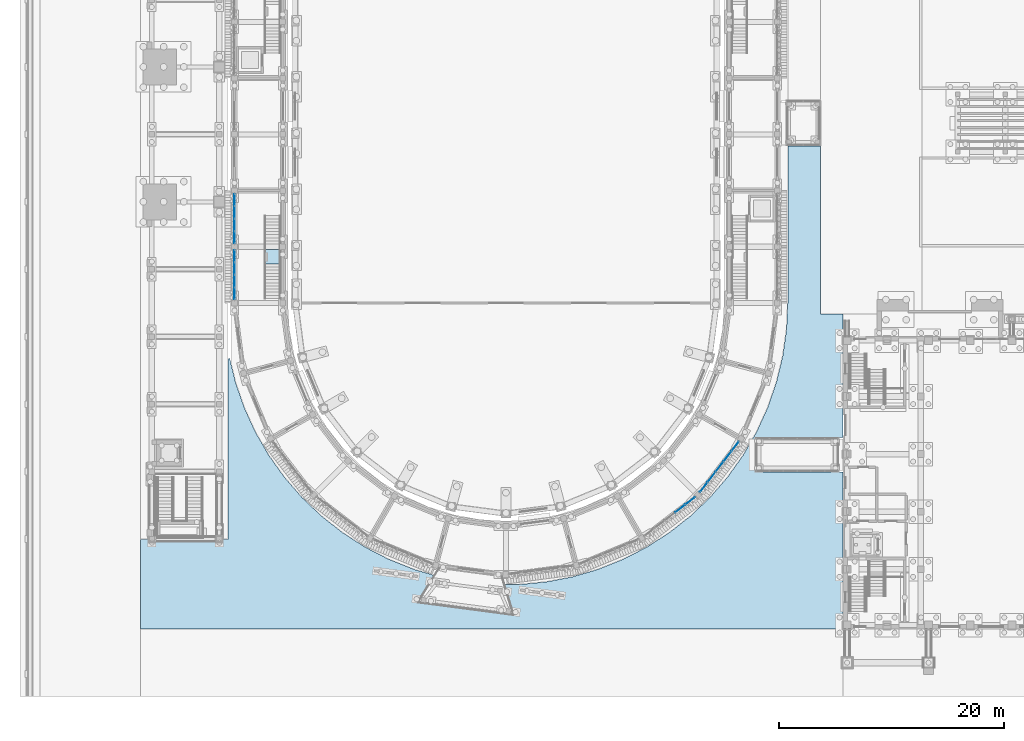
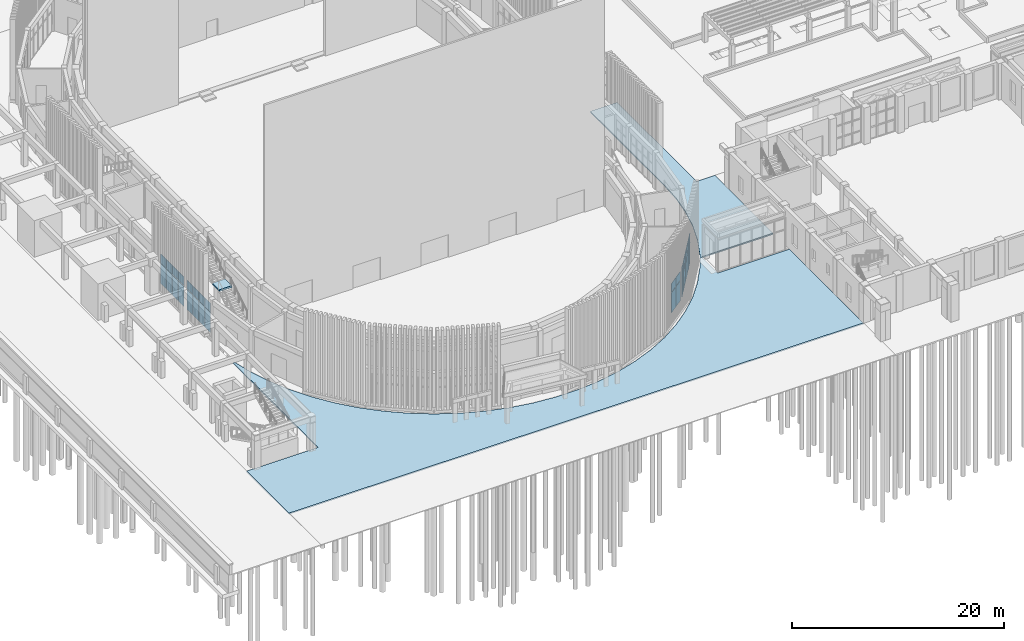
# One storey, part 47 of 112: 30 plates, 2 slabs, 5 elements without a shape of their own.
"""IFC4 building model written with IfcOpenShell, lengths in metres."""

from ifc_helpers import new_model, si_unit, direction, frame, origin, origin_2d, place, context, subcontext, project, spatial, polyline, rectangle, outline, extrude, material, layer, layer_set, type_object, element, aggregate, save


model = new_model("IFC4")

# Units and contexts
model_context = context("Model", 3, precision=1e-05, world=origin(), true_north=direction((0.0, 1.0)))
body_context = subcontext(model_context, "Body", "Model", "MODEL_VIEW")
ifc_project = project(units=[si_unit("LENGTHUNIT", "METRE"), si_unit("AREAUNIT", "SQUARE_METRE"), si_unit("VOLUMEUNIT", "CUBIC_METRE"), si_unit("PLANEANGLEUNIT", "RADIAN"), si_unit("MASSUNIT", "GRAM", prefix="KILO")], contexts=[model_context])

# Site, building, storey
site_placement = place(None, origin())
site = spatial("IfcSite", under=ifc_project, at=site_placement, CompositionType="ELEMENT")
building_placement = place(site_placement, origin())
building = spatial("IfcBuilding", under=site, at=building_placement, Name="Wasatch Bagh Community Centre", CompositionType="ELEMENT")
storey_placement = place(building_placement, origin())
storey = spatial("IfcBuildingStorey", under=building, at=storey_placement, Name="L00", CompositionType="ELEMENT", Elevation=0.0)

# Curtain wall, plates
ifc_material_1 = material(Name="Aluminium curtain wall frame with low-iron insulated glass", Category="aluminium")
ifc_layer_1 = layer(ifc_material_1, 0.14990234375)
ifc_layer_set_1 = layer_set([ifc_layer_1], Name="Aluminium curtain wall frame with low-iron insulated glass")
curtain_wall_type_1 = type_object("IfcCurtainWallType", Name="Drum curtain wall DR-CW1", PredefinedType="NOTDEFINED", material=ifc_layer_set_1)
curtain_wall_1_placement = place(storey_placement, origin())
curtain_wall_1 = element("IfcCurtainWall", 1, at=curtain_wall_1_placement, inside=storey, type_object=curtain_wall_type_1, Name="Curtain wall DR-CW1 9", PredefinedType="NOTDEFINED")
ifc_material_2 = material(Name="Low-iron insulated glass", Category="glass")
ifc_layer_2 = layer(ifc_material_2, 0.028076171875)
ifc_layer_set_2 = layer_set([ifc_layer_2], Name="Low-iron insulated glass")
plate_type_1 = type_object("IfcPlateType", Name="Drum glass panel DR-CW1", PredefinedType="CURTAIN_PANEL", material=ifc_layer_set_2)
plate_1_placement = place(storey_placement, frame((51.492919921875, 16.7080078125, 0.06005859375), z_axis=(0.0, 0.0, 1.0), x_axis=(0.793353340196, 0.608761429133, 0.0)))
plate_1 = element("IfcPlate", 2, at=plate_1_placement, type_object=plate_type_1, Name="DR-CW1 panel 4.1", PredefinedType="CURTAIN_PANEL", context=body_context, shape_type="SweptSolid", body=[
    extrude(rectangle(XDim=1.095947265625, YDim=0.028076171875, at=origin_2d()), origin(), (0.0, 0.0, 1.0), 2.31005859375),
])
plate_2_placement = place(storey_placement, frame((51.492919921875, 16.7080078125, 2.43017578125), z_axis=(0.0, 0.0, 1.0), x_axis=(0.793353340196, 0.608761429133, 0.0)))
plate_2 = element("IfcPlate", 3, at=plate_2_placement, type_object=plate_type_1, Name="DR-CW1 panel 4.2", PredefinedType="CURTAIN_PANEL", context=body_context, shape_type="SweptSolid", body=[
    extrude(rectangle(XDim=1.095947265625, YDim=0.028076171875, at=origin_2d()), origin(), (0.0, 0.0, 1.0), 1.010009765625),
])
plate_3_placement = place(storey_placement, frame((52.39794921875, 17.402587890625, 0.06005859375), z_axis=(0.0, 0.0, 1.0), x_axis=(0.793353340196, 0.608761429133, 0.0)))
plate_3 = element("IfcPlate", 4, at=plate_3_placement, type_object=plate_type_1, Name="DR-CW1 panel 5.1", PredefinedType="CURTAIN_PANEL", context=body_context, shape_type="SweptSolid", body=[
    extrude(rectangle(XDim=1.06591796875, YDim=0.028076171875, at=origin_2d()), origin(), (0.0, 0.0, 1.0), 2.31005859375),
])
plate_4_placement = place(storey_placement, frame((52.39794921875, 17.402587890625, 2.43017578125), z_axis=(0.0, 0.0, 1.0), x_axis=(0.793353340196, 0.608761429133, 0.0)))
plate_4 = element("IfcPlate", 5, at=plate_4_placement, type_object=plate_type_1, Name="DR-CW1 panel 5.2", PredefinedType="CURTAIN_PANEL", context=body_context, shape_type="SweptSolid", body=[
    extrude(rectangle(XDim=1.06591796875, YDim=0.028076171875, at=origin_2d()), origin(), (0.0, 0.0, 1.0), 1.010009765625),
])
aggregate(curtain_wall_1, [plate_1, plate_2, plate_3, plate_4])

curtain_wall_2_placement = place(storey_placement, origin())
curtain_wall_2 = element("IfcCurtainWall", 6, at=curtain_wall_2_placement, inside=storey, type_object=curtain_wall_type_1, Name="Curtain wall DR-CW1 10", PredefinedType="NOTDEFINED")
plate_5_placement = place(storey_placement, frame((53.597412109375, 18.60205078125, 0.06005859375), z_axis=(0.0, 0.0, 1.0), x_axis=(0.608761429133, 0.793353340196, 0.0)))
plate_5 = element("IfcPlate", 7, at=plate_5_placement, type_object=plate_type_1, Name="DR-CW1 panel 1.1", PredefinedType="CURTAIN_PANEL", context=body_context, shape_type="SweptSolid", body=[
    extrude(rectangle(XDim=1.06591796875, YDim=0.028076171875, at=origin_2d()), origin(), (0.0, 0.0, 1.0), 2.31005859375),
])
plate_6_placement = place(storey_placement, frame((53.597412109375, 18.60205078125, 2.43017578125), z_axis=(0.0, 0.0, 1.0), x_axis=(0.608761429133, 0.793353340196, 0.0)))
plate_6 = element("IfcPlate", 8, at=plate_6_placement, type_object=plate_type_1, Name="DR-CW1 panel 1.2", PredefinedType="CURTAIN_PANEL", context=body_context, shape_type="SweptSolid", body=[
    extrude(rectangle(XDim=1.06591796875, YDim=0.028076171875, at=origin_2d()), origin(), (0.0, 0.0, 1.0), 1.010009765625),
])
plate_7_placement = place(storey_placement, frame((54.2919921875, 19.507080078125, 0.06005859375), z_axis=(0.0, 0.0, 1.0), x_axis=(0.608761429133, 0.793353340196, 0.0)))
plate_7 = element("IfcPlate", 9, at=plate_7_placement, type_object=plate_type_1, Name="DR-CW1 panel 2.1", PredefinedType="CURTAIN_PANEL", context=body_context, shape_type="SweptSolid", body=[
    extrude(rectangle(XDim=1.095947265625, YDim=0.028076171875, at=origin_2d()), origin(), (0.0, 0.0, 1.0), 2.31005859375),
])
plate_8_placement = place(storey_placement, frame((54.2919921875, 19.507080078125, 2.43017578125), z_axis=(0.0, 0.0, 1.0), x_axis=(0.608761429133, 0.793353340196, 0.0)))
plate_8 = element("IfcPlate", 10, at=plate_8_placement, type_object=plate_type_1, Name="DR-CW1 panel 2.2", PredefinedType="CURTAIN_PANEL", context=body_context, shape_type="SweptSolid", body=[
    extrude(rectangle(XDim=1.095947265625, YDim=0.028076171875, at=origin_2d()), origin(), (0.0, 0.0, 1.0), 1.010009765625),
])
plate_9_placement = place(storey_placement, frame((54.99560546875, 20.424072265625, 0.06005859375), z_axis=(0.0, 0.0, 1.0), x_axis=(0.608761429133, 0.793353340196, 0.0)))
plate_9 = element("IfcPlate", 11, at=plate_9_placement, type_object=plate_type_1, Name="DR-CW1 panel 3.1", PredefinedType="CURTAIN_PANEL", context=body_context, shape_type="SweptSolid", body=[
    extrude(rectangle(XDim=1.095947265625, YDim=0.028076171875, at=origin_2d()), origin(), (0.0, 0.0, 1.0), 2.31005859375),
])
plate_10_placement = place(storey_placement, frame((54.99560546875, 20.424072265625, 2.43017578125), z_axis=(0.0, 0.0, 1.0), x_axis=(0.608761429133, 0.793353340196, 0.0)))
plate_10 = element("IfcPlate", 12, at=plate_10_placement, type_object=plate_type_1, Name="DR-CW1 panel 3.2", PredefinedType="CURTAIN_PANEL", context=body_context, shape_type="SweptSolid", body=[
    extrude(rectangle(XDim=1.095947265625, YDim=0.028076171875, at=origin_2d()), origin(), (0.0, 0.0, 1.0), 1.010009765625),
])
plate_11_placement = place(storey_placement, frame((55.69921875, 21.34130859375, 0.06005859375), z_axis=(0.0, 0.0, 1.0), x_axis=(0.608761429133, 0.793353340196, 0.0)))
plate_11 = element("IfcPlate", 13, at=plate_11_placement, type_object=plate_type_1, Name="DR-CW1 panel 4.1", PredefinedType="CURTAIN_PANEL", context=body_context, shape_type="SweptSolid", body=[
    extrude(rectangle(XDim=1.095947265625, YDim=0.028076171875, at=origin_2d()), origin(), (0.0, 0.0, 1.0), 2.31005859375),
])
plate_12_placement = place(storey_placement, frame((55.69921875, 21.34130859375, 2.43017578125), z_axis=(0.0, 0.0, 1.0), x_axis=(0.608761429133, 0.793353340196, 0.0)))
plate_12 = element("IfcPlate", 14, at=plate_12_placement, type_object=plate_type_1, Name="DR-CW1 panel 4.2", PredefinedType="CURTAIN_PANEL", context=body_context, shape_type="SweptSolid", body=[
    extrude(rectangle(XDim=1.095947265625, YDim=0.028076171875, at=origin_2d()), origin(), (0.0, 0.0, 1.0), 1.010009765625),
])
plate_13_placement = place(storey_placement, frame((56.393798828125, 22.246337890625, 0.06005859375), z_axis=(0.0, 0.0, 1.0), x_axis=(0.608761429133, 0.793353340196, 0.0)))
plate_13 = element("IfcPlate", 15, at=plate_13_placement, type_object=plate_type_1, Name="DR-CW1 panel 5.1", PredefinedType="CURTAIN_PANEL", context=body_context, shape_type="SweptSolid", body=[
    extrude(rectangle(XDim=1.06591796875, YDim=0.028076171875, at=origin_2d()), origin(), (0.0, 0.0, 1.0), 2.31005859375),
])
plate_14_placement = place(storey_placement, frame((56.393798828125, 22.246337890625, 2.43017578125), z_axis=(0.0, 0.0, 1.0), x_axis=(0.608761429133, 0.793353340196, 0.0)))
plate_14 = element("IfcPlate", 16, at=plate_14_placement, type_object=plate_type_1, Name="DR-CW1 panel 5.2", PredefinedType="CURTAIN_PANEL", context=body_context, shape_type="SweptSolid", body=[
    extrude(rectangle(XDim=1.06591796875, YDim=0.028076171875, at=origin_2d()), origin(), (0.0, 0.0, 1.0), 1.010009765625),
])
aggregate(curtain_wall_2, [plate_5, plate_6, plate_7, plate_8, plate_9, plate_10, plate_11, plate_12, plate_13, plate_14])

ifc_layer_3 = layer(ifc_material_1, 0.14990234375)
ifc_layer_set_3 = layer_set([ifc_layer_3], Name="Aluminium curtain wall frame with low-iron insulated glass")
curtain_wall_type_2 = type_object("IfcCurtainWallType", Name="Drum curtain wall DR-CW3", PredefinedType="NOTDEFINED", material=ifc_layer_set_3)
curtain_wall_3_placement = place(storey_placement, origin())
curtain_wall_3 = element("IfcCurtainWall", 17, at=curtain_wall_3_placement, inside=storey, type_object=curtain_wall_type_2, Name="Curtain wall DR-CW3 35", PredefinedType="NOTDEFINED")
ifc_layer_4 = layer(ifc_material_2, 0.028076171875)
ifc_layer_set_4 = layer_set([ifc_layer_4], Name="Low-iron insulated glass")
plate_type_2 = type_object("IfcPlateType", Name="Drum glass panel DR-CW3", PredefinedType="CURTAIN_PANEL", material=ifc_layer_set_4)
plate_15_placement = place(storey_placement, frame((11.85009765625, 44.172119140625, 0.06005859375), z_axis=(0.0, 0.0, 1.0), x_axis=(0.0, -1.0, 0.0)))
plate_15 = element("IfcPlate", 18, at=plate_15_placement, type_object=plate_type_2, Name="DR-CW3 panel 1.1", PredefinedType="CURTAIN_PANEL", context=body_context, shape_type="SweptSolid", body=[
    extrude(rectangle(XDim=1.03466796875, YDim=0.028076171875, at=origin_2d()), origin(), (0.0, 0.0, 1.0), 2.31005859375),
])
plate_16_placement = place(storey_placement, frame((11.85009765625, 44.172119140625, 2.43017578125), z_axis=(0.0, 0.0, 1.0), x_axis=(0.0, -1.0, 0.0)))
plate_16 = element("IfcPlate", 19, at=plate_16_placement, type_object=plate_type_2, Name="DR-CW3 panel 1.2", PredefinedType="CURTAIN_PANEL", context=body_context, shape_type="SweptSolid", body=[
    extrude(rectangle(XDim=1.03466796875, YDim=0.028076171875, at=origin_2d()), origin(), (0.0, 0.0, 1.0), 1.010009765625),
])
plate_17_placement = place(storey_placement, frame((11.85009765625, 43.062255859375, 0.06005859375), z_axis=(0.0, 0.0, 1.0), x_axis=(0.0, -1.0, 0.0)))
plate_17 = element("IfcPlate", 20, at=plate_17_placement, type_object=plate_type_2, Name="DR-CW3 panel 2.1", PredefinedType="CURTAIN_PANEL", context=body_context, shape_type="SweptSolid", body=[
    extrude(rectangle(XDim=1.064697265625, YDim=0.028076171875, at=origin_2d()), origin(), (0.0, 0.0, 1.0), 2.31005859375),
])
plate_18_placement = place(storey_placement, frame((11.85009765625, 43.062255859375, 2.43017578125), z_axis=(0.0, 0.0, 1.0), x_axis=(0.0, -1.0, 0.0)))
plate_18 = element("IfcPlate", 21, at=plate_18_placement, type_object=plate_type_2, Name="DR-CW3 panel 2.2", PredefinedType="CURTAIN_PANEL", context=body_context, shape_type="SweptSolid", body=[
    extrude(rectangle(XDim=1.064697265625, YDim=0.028076171875, at=origin_2d()), origin(), (0.0, 0.0, 1.0), 1.010009765625),
])
plate_19_placement = place(storey_placement, frame((11.85009765625, 41.937744140625, 0.06005859375), z_axis=(0.0, 0.0, 1.0), x_axis=(0.0, -1.0, 0.0)))
plate_19 = element("IfcPlate", 22, at=plate_19_placement, type_object=plate_type_2, Name="DR-CW3 panel 3.1", PredefinedType="CURTAIN_PANEL", context=body_context, shape_type="SweptSolid", body=[
    extrude(rectangle(XDim=1.064697265625, YDim=0.028076171875, at=origin_2d()), origin(), (0.0, 0.0, 1.0), 2.31005859375),
])
plate_20_placement = place(storey_placement, frame((11.85009765625, 41.937744140625, 2.43017578125), z_axis=(0.0, 0.0, 1.0), x_axis=(0.0, -1.0, 0.0)))
plate_20 = element("IfcPlate", 23, at=plate_20_placement, type_object=plate_type_2, Name="DR-CW3 panel 3.2", PredefinedType="CURTAIN_PANEL", context=body_context, shape_type="SweptSolid", body=[
    extrude(rectangle(XDim=1.064697265625, YDim=0.028076171875, at=origin_2d()), origin(), (0.0, 0.0, 1.0), 1.010009765625),
])
plate_21_placement = place(storey_placement, frame((11.85009765625, 40.827880859375, 0.06005859375), z_axis=(0.0, 0.0, 1.0), x_axis=(0.0, -1.0, 0.0)))
plate_21 = element("IfcPlate", 24, at=plate_21_placement, type_object=plate_type_2, Name="DR-CW3 panel 4.1", PredefinedType="CURTAIN_PANEL", context=body_context, shape_type="SweptSolid", body=[
    extrude(rectangle(XDim=1.03466796875, YDim=0.028076171875, at=origin_2d()), origin(), (0.0, 0.0, 1.0), 2.31005859375),
])
plate_22_placement = place(storey_placement, frame((11.85009765625, 40.827880859375, 2.43017578125), z_axis=(0.0, 0.0, 1.0), x_axis=(0.0, -1.0, 0.0)))
plate_22 = element("IfcPlate", 25, at=plate_22_placement, type_object=plate_type_2, Name="DR-CW3 panel 4.2", PredefinedType="CURTAIN_PANEL", context=body_context, shape_type="SweptSolid", body=[
    extrude(rectangle(XDim=1.03466796875, YDim=0.028076171875, at=origin_2d()), origin(), (0.0, 0.0, 1.0), 1.010009765625),
])
aggregate(curtain_wall_3, [plate_15, plate_16, plate_17, plate_18, plate_19, plate_20, plate_21, plate_22])

curtain_wall_4_placement = place(storey_placement, origin())
curtain_wall_4 = element("IfcCurtainWall", 26, at=curtain_wall_4_placement, inside=storey, type_object=curtain_wall_type_2, Name="Curtain wall DR-CW3 36", PredefinedType="NOTDEFINED")
plate_23_placement = place(storey_placement, frame((11.85009765625, 39.172119140625, 0.06005859375), z_axis=(0.0, 0.0, 1.0), x_axis=(0.0, -1.0, 0.0)))
plate_23 = element("IfcPlate", 27, at=plate_23_placement, type_object=plate_type_2, Name="DR-CW3 panel 1.1", PredefinedType="CURTAIN_PANEL", context=body_context, shape_type="SweptSolid", body=[
    extrude(rectangle(XDim=1.03466796875, YDim=0.028076171875, at=origin_2d()), origin(), (0.0, 0.0, 1.0), 2.31005859375),
])
plate_24_placement = place(storey_placement, frame((11.85009765625, 39.172119140625, 2.43017578125), z_axis=(0.0, 0.0, 1.0), x_axis=(0.0, -1.0, 0.0)))
plate_24 = element("IfcPlate", 28, at=plate_24_placement, type_object=plate_type_2, Name="DR-CW3 panel 1.2", PredefinedType="CURTAIN_PANEL", context=body_context, shape_type="SweptSolid", body=[
    extrude(rectangle(XDim=1.03466796875, YDim=0.028076171875, at=origin_2d()), origin(), (0.0, 0.0, 1.0), 1.010009765625),
])
plate_25_placement = place(storey_placement, frame((11.85009765625, 38.062255859375, 0.06005859375), z_axis=(0.0, 0.0, 1.0), x_axis=(0.0, -1.0, 0.0)))
plate_25 = element("IfcPlate", 29, at=plate_25_placement, type_object=plate_type_2, Name="DR-CW3 panel 2.1", PredefinedType="CURTAIN_PANEL", context=body_context, shape_type="SweptSolid", body=[
    extrude(rectangle(XDim=1.064697265625, YDim=0.028076171875, at=origin_2d()), origin(), (0.0, 0.0, 1.0), 2.31005859375),
])
plate_26_placement = place(storey_placement, frame((11.85009765625, 38.062255859375, 2.43017578125), z_axis=(0.0, 0.0, 1.0), x_axis=(0.0, -1.0, 0.0)))
plate_26 = element("IfcPlate", 30, at=plate_26_placement, type_object=plate_type_2, Name="DR-CW3 panel 2.2", PredefinedType="CURTAIN_PANEL", context=body_context, shape_type="SweptSolid", body=[
    extrude(rectangle(XDim=1.064697265625, YDim=0.028076171875, at=origin_2d()), origin(), (0.0, 0.0, 1.0), 1.010009765625),
])
plate_27_placement = place(storey_placement, frame((11.85009765625, 36.937744140625, 0.06005859375), z_axis=(0.0, 0.0, 1.0), x_axis=(0.0, -1.0, 0.0)))
plate_27 = element("IfcPlate", 31, at=plate_27_placement, type_object=plate_type_2, Name="DR-CW3 panel 3.1", PredefinedType="CURTAIN_PANEL", context=body_context, shape_type="SweptSolid", body=[
    extrude(rectangle(XDim=1.064697265625, YDim=0.028076171875, at=origin_2d()), origin(), (0.0, 0.0, 1.0), 2.31005859375),
])
plate_28_placement = place(storey_placement, frame((11.85009765625, 36.937744140625, 2.43017578125), z_axis=(0.0, 0.0, 1.0), x_axis=(0.0, -1.0, 0.0)))
plate_28 = element("IfcPlate", 32, at=plate_28_placement, type_object=plate_type_2, Name="DR-CW3 panel 3.2", PredefinedType="CURTAIN_PANEL", context=body_context, shape_type="SweptSolid", body=[
    extrude(rectangle(XDim=1.064697265625, YDim=0.028076171875, at=origin_2d()), origin(), (0.0, 0.0, 1.0), 1.010009765625),
])
plate_29_placement = place(storey_placement, frame((11.85009765625, 35.827880859375, 0.06005859375), z_axis=(0.0, 0.0, 1.0), x_axis=(0.0, -1.0, 0.0)))
plate_29 = element("IfcPlate", 33, at=plate_29_placement, type_object=plate_type_2, Name="DR-CW3 panel 4.1", PredefinedType="CURTAIN_PANEL", context=body_context, shape_type="SweptSolid", body=[
    extrude(rectangle(XDim=1.03466796875, YDim=0.028076171875, at=origin_2d()), origin(), (0.0, 0.0, 1.0), 2.31005859375),
])
plate_30_placement = place(storey_placement, frame((11.85009765625, 35.827880859375, 2.43017578125), z_axis=(0.0, 0.0, 1.0), x_axis=(0.0, -1.0, 0.0)))
plate_30 = element("IfcPlate", 34, at=plate_30_placement, type_object=plate_type_2, Name="DR-CW3 panel 4.2", PredefinedType="CURTAIN_PANEL", context=body_context, shape_type="SweptSolid", body=[
    extrude(rectangle(XDim=1.03466796875, YDim=0.028076171875, at=origin_2d()), origin(), (0.0, 0.0, 1.0), 1.010009765625),
])
aggregate(curtain_wall_4, [plate_23, plate_24, plate_25, plate_26, plate_27, plate_28, plate_29, plate_30])

# Stair, slab
ifc_material_3 = material(Name="Concrete C35", Category="concrete")
stair_type = type_object("IfcStairType", Name="Drum stair 175 x 280", PredefinedType="STRAIGHT_RUN_STAIR", material=ifc_material_3)
stair_placement = place(storey_placement, origin())
stair = element("IfcStair", 35, at=stair_placement, inside=storey, type_object=stair_type, Name="Stair SW0", PredefinedType="STRAIGHT_RUN_STAIR")
ifc_layer_5 = layer(ifc_material_3, 0.199951171875)
ifc_layer_set_5 = layer_set([ifc_layer_5], Name="Concrete C35")
slab_type_1 = type_object("IfcSlabType", Name="Drum stair landing 200", PredefinedType="LANDING", material=ifc_layer_set_5)
slab_1_placement = place(storey_placement, frame((0.0, 0.0, 1.89990234375)))
slab_1 = element("IfcSlab", 36, at=slab_1_placement, type_object=slab_type_1, Name="FST1 landing 1", PredefinedType="LANDING", context=body_context, shape_type="SweptSolid", body=[
    extrude(outline(polyline([(16.02490234375, 38.4599609375), (14.625, 38.4599609375), (14.625, 39.75), (16.02490234375, 39.75), (16.02490234375, 38.4599609375)])), origin(), (0.0, 0.0, 1.0), 0.2001953125),
])
aggregate(stair, [slab_1])

# Slab
ifc_material_4 = material(Name="Grass-crete paving on Concrete C30 base", Category="concrete")
ifc_layer_6 = layer(ifc_material_4, 0.14990234375)
ifc_layer_set_6 = layer_set([ifc_layer_6], Name="Grass-crete paving on Concrete C30 base")
slab_type_2 = type_object("IfcSlabType", Name="SITE-G2", PredefinedType="FLOOR", material=ifc_layer_set_6)
slab_2_placement = place(storey_placement, frame((0.0, 0.0, -0.14990234375)))
element("IfcSlab", 37, at=slab_2_placement, inside=storey, type_object=slab_type_2, Name="Paving - South lawn", PredefinedType="FLOOR", context=body_context, shape_type="SweptSolid", body=[
    extrude(outline(polyline([(3.47998046875, 13.97998046875), (11.27001953125, 13.97998046875), (11.27001953125, 30.03173828125), (11.4326171875, 30.05126953125), (11.945556640625, 27.93701171875), (12.725830078125, 25.682373046875), (13.716796875, 23.51220703125), (14.909912109375, 21.446044921875), (16.293701171875, 19.502685546875), (17.85595703125, 17.69970703125), (19.58251953125, 16.05322265625), (21.4580078125, 14.57861328125), (21.67919921875, 14.4365234375), (23.465087890625, 13.288818359375), (25.58544921875, 12.195556640625), (27.80029296875, 11.308837890625), (30.089599609375, 10.63671875), (32.43212890625, 10.185302734375), (34.80712890625, 9.95849609375), (37.19287109375, 9.95849609375), (39.56787109375, 10.185302734375), (41.910400390625, 10.63671875), (44.19970703125, 11.308837890625), (46.41455078125, 12.195556640625), (48.534912109375, 13.288818359375), (50.5419921875, 14.57861328125), (52.41748046875, 16.05322265625), (54.14404296875, 17.69970703125), (55.706298828125, 19.502685546875), (57.090087890625, 21.446044921875), (58.283203125, 23.51220703125), (59.274169921875, 25.682373046875), (60.054443359375, 27.93701171875), (60.616943359375, 30.255615234375), (60.95654296875, 32.616943359375), (61.070068359375, 34.99951171875), (61.070068359375, 48.97998046875), (64.0, 48.97998046875), (64.0, 34.0), (66.0, 34.0), (66.0, 32.02001953125), (65.97998046875, 32.02001953125), (65.97998046875, 23.02001953125), (58.179931640625, 23.02001953125), (58.179931640625, 19.97998046875), (65.97998046875, 19.97998046875), (65.97998046875, 6.0), (3.47998046875, 6.0), (3.47998046875, 13.97998046875)])), origin(), (0.0, 0.0, 1.0), 0.14990234375),
])

save(model, "model.ifc")
